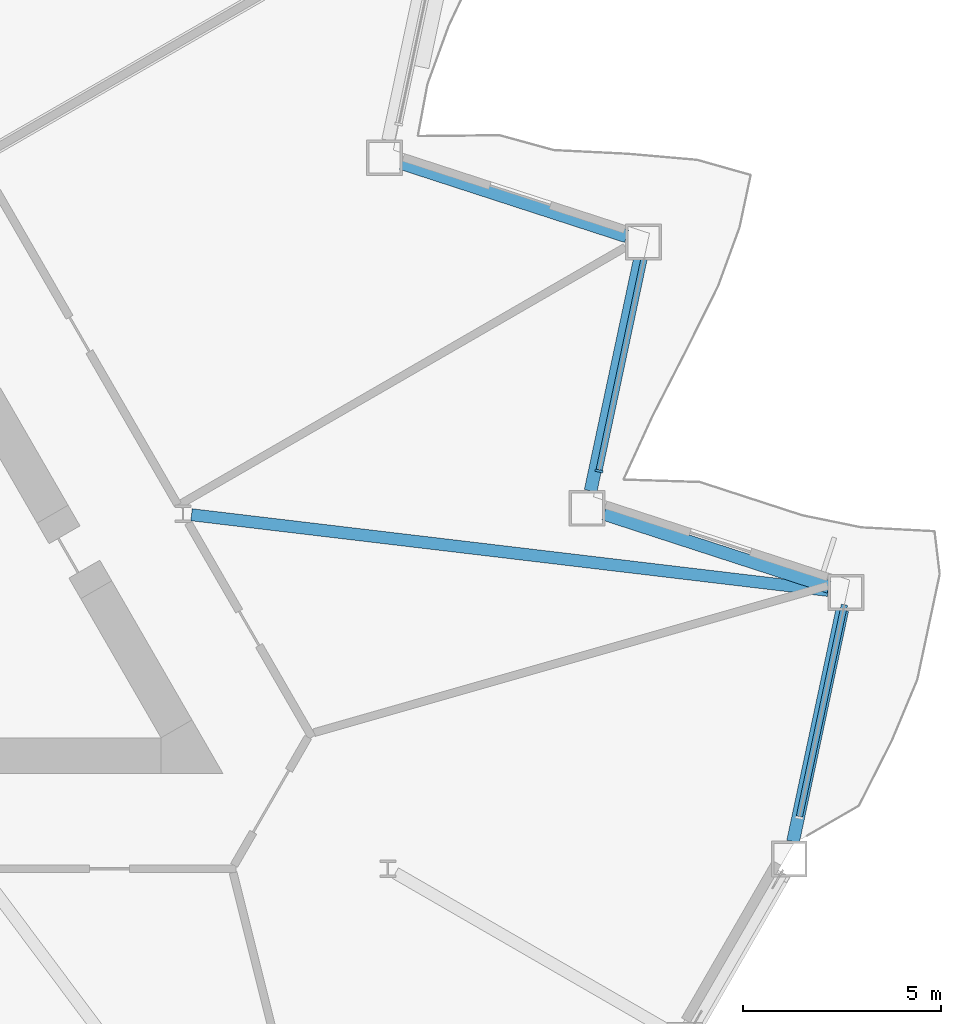
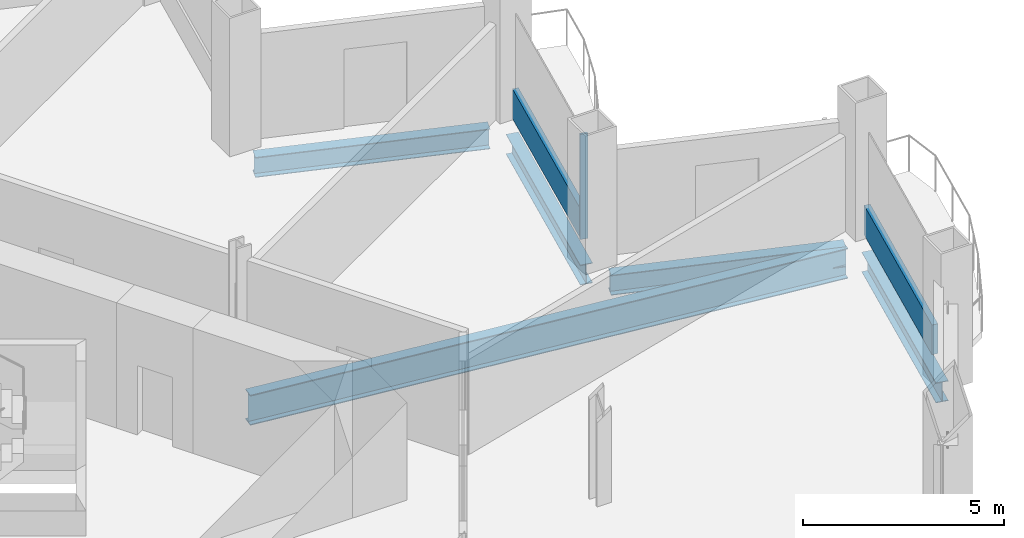
# One storey, part 6 of 21: 5 beams, 3 members, 2 elements without a shape of their own.
"""IFC4 building model written with IfcOpenShell, lengths in metres."""

import ifcopenshell
import ifcopenshell.guid

model = None  # the IFC model being written
_history = None  # IfcOwnerHistory: only IFC2X3 demands one
_inside = {}  # id of a spatial element -> (the spatial element, [elements in it])
_under = {}  # id of a project, library or spatial element -> (it, [spatial elements below it])
_declared = {}  # id of a project -> (the project, [libraries it declares])
_typed = {}  # id of a type object -> (the type object, [elements of that type])
_made_of = {}  # id of a material, layer set ... -> (it, [elements and type objects made of it])


def new_model(schema):
    """Start an empty IFC model of exactly this schema.

    Asked for "IFC4X3", IfcOpenShell would pick the latest addendum, in which some entities
    have other attributes; the version numbers below select the first issue.
    IFC2X3 requires an IfcOwnerHistory on every rooted entity: one is made here for all.
    """
    global model, _history
    if schema == "IFC4X3":
        model = ifcopenshell.file(schema_version=(4, 3, 0, 0))
    else:
        model = ifcopenshell.file(schema=schema)
    _inside.clear()
    _under.clear()
    _declared.clear()
    _typed.clear()
    _made_of.clear()
    _history = None
    if model.schema == "IFC2X3":
        org = make("IfcOrganization", Name="unknown")
        user = make(
            "IfcPersonAndOrganization",
            ThePerson=make("IfcPerson", FamilyName="unknown"),
            TheOrganization=org,
        )
        app = make(
            "IfcApplication",
            ApplicationDeveloper=org,
            Version="unknown",
            ApplicationFullName="unknown",
            ApplicationIdentifier="unknown",
        )
        _history = make(
            "IfcOwnerHistory",
            OwningUser=user,
            OwningApplication=app,
            ChangeAction="ADDED",
            CreationDate=0,
        )
    return model


def make(cls, **values):
    """One entity of the class cls with the attributes given. An attribute that is None is left unset."""
    return model.create_entity(
        cls, **{name: value for name, value in values.items() if value is not None}
    )


def rooted(cls, **values):
    """An entity with a GlobalId (a new one), such as an element, a storey or a relation."""
    return make(cls, GlobalId=ifcopenshell.guid.new(), OwnerHistory=_history, **values)


def si_unit(unit_type, name, prefix=None):
    """IfcSIUnit, for example si_unit("LENGTHUNIT", "METRE", prefix="MILLI")."""
    return make("IfcSIUnit", UnitType=unit_type, Prefix=prefix, Name=name)


def assignment(units):
    """IfcUnitAssignment: the units of a project."""
    return None if units is None else make("IfcUnitAssignment", Units=units)


def point(xyz):
    """IfcCartesianPoint."""
    return None if xyz is None else make("IfcCartesianPoint", Coordinates=xyz)


def direction(xyz):
    """IfcDirection."""
    return None if xyz is None else make("IfcDirection", DirectionRatios=xyz)


def frame(location, z_axis=None, x_axis=None):
    """IfcAxis2Placement3D, a coordinate frame: its origin and axes. An axis left out is left unset."""
    return make(
        "IfcAxis2Placement3D",
        Location=point(location),
        Axis=direction(z_axis),
        RefDirection=direction(x_axis),
    )


def frame_2d(location, x_axis=None):
    """IfcAxis2Placement2D, a coordinate frame in the plane: its origin and x axis."""
    return make(
        "IfcAxis2Placement2D", Location=point(location), RefDirection=direction(x_axis)
    )


def origin():
    """The frame at (0, 0, 0) with its axes left unset."""
    return frame((0.0, 0.0, 0.0))


def origin_2d():
    """The frame at (0, 0) in the plane with its x axis left unset."""
    return frame_2d((0.0, 0.0))


def place(relative_to, where):
    """IfcLocalPlacement: puts the frame where relative to a parent placement (None: the world)."""
    return make(
        "IfcLocalPlacement", PlacementRelTo=relative_to, RelativePlacement=where
    )


def context(
    kind, dimensions, precision=None, world=None, true_north=None, identifier=None
):
    """IfcGeometricRepresentationContext, for example the 3D "Model" context."""
    return make(
        "IfcGeometricRepresentationContext",
        ContextIdentifier=identifier,
        ContextType=kind,
        CoordinateSpaceDimension=dimensions,
        Precision=precision,
        WorldCoordinateSystem=world,
        TrueNorth=true_north,
    )


def subcontext(parent, identifier, kind, view, scale=None):
    """IfcGeometricRepresentationSubContext, for example "Body" below "Model"."""
    return make(
        "IfcGeometricRepresentationSubContext",
        ContextIdentifier=identifier,
        ContextType=kind,
        ParentContext=parent,
        TargetScale=scale,
        TargetView=view,
    )


def project(units=None, contexts=None):
    """IfcProject with its units and contexts."""
    return rooted(
        "IfcProject",
        Name="project",
        RepresentationContexts=contexts,
        UnitsInContext=assignment(units),
    )


def spatial(cls, under=None, at=None, **own):
    """A site, building, storey or space (cls), placed at a placement, below another one or the project."""
    s = rooted(cls, ObjectPlacement=at, **own)
    if under is not None:
        _under.setdefault(under.id(), (under, []))[1].append(s)
    return s


def profile(cls, at=None, kind="AREA", **sizes):
    """A parametric profile (cls). Its sizes go by their IFC names, for example OverallWidth=200.0."""
    return make(cls, ProfileType=kind, Position=at, **sizes)


def rectangle(**sizes):
    """IfcRectangleProfileDef."""
    return profile("IfcRectangleProfileDef", **sizes)


def i_section(**sizes):
    """IfcIShapeProfileDef."""
    return profile("IfcIShapeProfileDef", **sizes)


def extrude(swept, where, along, depth):
    """IfcExtrudedAreaSolid: the profile swept, set in the frame where, extruded along a direction by depth."""
    return make(
        "IfcExtrudedAreaSolid",
        SweptArea=swept,
        Position=where,
        ExtrudedDirection=direction(along),
        Depth=depth,
    )


def shape(context_of_items, identifier, shape_type, items):
    """IfcShapeRepresentation: the items that make up one representation, for example the "Body"."""
    return make(
        "IfcShapeRepresentation",
        ContextOfItems=context_of_items,
        RepresentationIdentifier=identifier,
        RepresentationType=shape_type,
        Items=items,
    )


def material(Name=None, Category=None):
    """IfcMaterial."""
    return make("IfcMaterial", Name=Name, Category=Category)


def layer(
    of_material, thickness, ventilated=None, Name=None, Category=None, Priority=None
):
    """IfcMaterialLayer: one layer of a wall or slab, of a material (None: an air gap)."""
    return make(
        "IfcMaterialLayer",
        Material=of_material,
        LayerThickness=thickness,
        IsVentilated=ventilated,
        Name=Name,
        Category=Category,
        Priority=Priority,
    )


def layer_set(layers, Name=None):
    """IfcMaterialLayerSet."""
    return make("IfcMaterialLayerSet", MaterialLayers=layers, LayerSetName=Name)


def material_profile(
    of_material, cross_section, Name=None, Category=None, Priority=None
):
    """IfcMaterialProfile: a cross section and its material."""
    return make(
        "IfcMaterialProfile",
        Name=Name,
        Material=of_material,
        Profile=cross_section,
        Priority=Priority,
        Category=Category,
    )


def profile_set(profiles, Name=None, composite=None):
    """IfcMaterialProfileSet."""
    return make(
        "IfcMaterialProfileSet",
        Name=Name,
        MaterialProfiles=profiles,
        CompositeProfile=composite,
    )


def made_of(thing, what):
    """Note that an element or type object is made of a material, layer set ...; save() writes the relation."""
    if what is not None:
        _made_of.setdefault(what.id(), (what, []))[1].append(thing)
    return thing


def type_object(cls, material=None, **own):
    """A type object (cls), such as IfcWallType, which elements share."""
    return made_of(rooted(cls, **own), material)


def element(
    cls,
    number,
    at=None,
    inside=None,
    cuts=None,
    type_object=None,
    material=None,
    context=None,
    identifier="Body",
    shape_type=None,
    held_by="IfcProductDefinitionShape",
    body=None,
    shapes=None,
    **own,
):
    """One element of the class cls, such as IfcWall. Its Tag is "e" and its number.

    at: its placement. inside: the storey or other place that contains it. cuts: it is an
    opening in that element (IfcRelVoidsElement). A single representation is given by context,
    identifier, shape_type and body (its items); several are given by shapes. held_by: the class
    of the entity that holds the representations. save() writes the other relations.
    """
    e = rooted(cls, Tag="e%d" % number, ObjectPlacement=at, **own)
    if body is not None:
        shapes = [shape(context, identifier, shape_type, body)]
    if shapes is not None:
        e.Representation = make(held_by, Representations=shapes)
    if inside is not None:
        _inside.setdefault(inside.id(), (inside, []))[1].append(e)
    if cuts is not None:
        rooted(
            "IfcRelVoidsElement", RelatingBuildingElement=cuts, RelatedOpeningElement=e
        )
    if type_object is not None:
        _typed.setdefault(type_object.id(), (type_object, []))[1].append(e)
    return made_of(e, material)


def aggregate(whole, parts):
    """IfcRelAggregates: a whole, such as a stair, and the parts it consists of."""
    return rooted("IfcRelAggregates", RelatingObject=whole, RelatedObjects=parts)


def save(model, path):
    """Write the relations noted so far, then the file.

    IfcRelAggregates (storeys below a building ...), IfcRelContainedInSpatialStructure (elements
    in a storey), IfcRelDefinesByType, IfcRelAssociatesMaterial and IfcRelDeclares: one each for
    every whole, place, type object, material and project.
    """
    for whole, parts in _under.values():
        aggregate(whole, parts)
    for where, things in _inside.values():
        rooted(
            "IfcRelContainedInSpatialStructure",
            RelatedElements=things,
            RelatingStructure=where,
        )
    for kind, things in _typed.values():
        rooted("IfcRelDefinesByType", RelatedObjects=things, RelatingType=kind)
    for what, things in _made_of.values():
        rooted("IfcRelAssociatesMaterial", RelatedObjects=things, RelatingMaterial=what)
    for by, libraries in _declared.values():
        rooted("IfcRelDeclares", RelatingContext=by, RelatedDefinitions=libraries)
    model.write(path)


model = new_model("IFC4")

# Units and contexts
model_context = context("Model", 3, precision=1e-05, world=origin(), true_north=direction((0.0, 1.0)))
body_context = subcontext(model_context, "Body", "Model", "MODEL_VIEW")
ifc_project = project(units=[si_unit("LENGTHUNIT", "METRE"), si_unit("AREAUNIT", "SQUARE_METRE"), si_unit("VOLUMEUNIT", "CUBIC_METRE"), si_unit("PLANEANGLEUNIT", "RADIAN"), si_unit("MASSUNIT", "GRAM", prefix="KILO")], contexts=[model_context])

# Site, building, storey
site_placement = place(None, origin())
site = spatial("IfcSite", under=ifc_project, at=site_placement, CompositionType="ELEMENT")
building_placement = place(site_placement, origin())
building = spatial("IfcBuilding", under=site, at=building_placement, Name="Cormorant Prow Tower", CompositionType="ELEMENT")
storey_placement = place(building_placement, frame((0.0, 0.0, 133.199951171875)))
storey = spatial("IfcBuildingStorey", under=building, at=storey_placement, Name="L28", CompositionType="ELEMENT", Elevation=133.199951171875)

# Curtain wall, member
ifc_material_1 = material(Name="Aluminium 6063-T6", Category="aluminium")
ifc_layer = layer(ifc_material_1, 0.199951171875)
ifc_layer_set = layer_set([ifc_layer], Name="Aluminium 6063-T6")
curtain_wall_type = type_object("IfcCurtainWallType", Name="Office unitised curtain wall 200", PredefinedType="NOTDEFINED", material=ifc_layer_set)
curtain_wall_1_placement = place(storey_placement, origin())
curtain_wall_1 = element("IfcCurtainWall", 1, at=curtain_wall_1_placement, inside=storey, type_object=curtain_wall_type, Name="Office curtain wall ENE02", PredefinedType="NOTDEFINED")
ifc_material_2 = material(Name="Aluminium 6063-T6", Category="aluminium")
ifc_material_profile_1 = material_profile(ifc_material_2, rectangle(XDim=0.199951171875, YDim=0.06005859375, at=origin_2d()), Name="Office mullion 60x200")
ifc_profile_set_1 = profile_set([ifc_material_profile_1], Name="Aluminium 6063-T6")
member_type_1 = type_object("IfcMemberType", Name="Office mullion 60x200", PredefinedType="MULLION", material=ifc_profile_set_1)
member_1_placement = place(storey_placement, frame((25.97314453125, -1.90380859375, 0.0), z_axis=(0.0, 0.0, 1.0), x_axis=(-0.978147605839, 0.207911666798, 0.0)))
member_1 = element("IfcMember", 2, at=member_1_placement, type_object=member_type_1, Name="Office mullion ENE02", PredefinedType="MULLION", context=body_context, shape_type="SweptSolid", body=[
    extrude(rectangle(XDim=0.199951171875, YDim=0.06005859375, at=origin_2d()), origin(), (0.0, 0.0, 1.0), 3.18896484375),
])

curtain_wall_2_placement = place(storey_placement, origin())
curtain_wall_2 = element("IfcCurtainWall", 3, at=curtain_wall_2_placement, inside=storey, type_object=curtain_wall_type, Name="Office curtain wall ENE00", PredefinedType="NOTDEFINED")
ifc_material_3 = material(Name="Terracotta", Category="masonry")
ifc_material_profile_2 = material_profile(ifc_material_3, rectangle(XDim=0.159912109375, YDim=0.89990234375, at=origin_2d()), Name="Office terracotta spandrel rail 160x900")
ifc_profile_set_2 = profile_set([ifc_material_profile_2], Name="Terracotta")
member_type_2 = type_object("IfcMemberType", Name="Office terracotta spandrel rail 160x900", PredefinedType="USERDEFINED", material=ifc_profile_set_2)
member_2_placement = place(storey_placement, frame((31.022705078125, -10.60986328125, 0.449951171875), z_axis=(0.207945473965, 0.978140419294, 0.0), x_axis=(-0.978140419294, 0.207945473965, 0.0)))
member_2 = element("IfcMember", 4, at=member_2_placement, type_object=member_type_2, Name="Office spandrel rail ENE00", ObjectType="TRANSOM", PredefinedType="USERDEFINED", context=body_context, shape_type="SweptSolid", body=[
    extrude(rectangle(XDim=0.159912109375, YDim=0.89990234375, at=origin_2d()), origin(), (0.0, 0.0, 1.0), 5.45458984375),
])
aggregate(curtain_wall_2, [member_2])

# Member
member_3_placement = place(storey_placement, frame((25.9794921875, -1.874267578125, 0.449951171875), z_axis=(0.20791175325, 0.978147587463, 0.0), x_axis=(-0.978147587463, 0.20791175325, 0.0)))
member_3 = element("IfcMember", 5, at=member_3_placement, type_object=member_type_2, Name="Office spandrel rail ENE02", ObjectType="TRANSOM", PredefinedType="USERDEFINED", context=body_context, shape_type="SweptSolid", body=[
    extrude(rectangle(XDim=0.159912109375, YDim=0.89990234375, at=origin_2d()), origin(), (0.0, 0.0, 1.0), 5.454345703125),
])

aggregate(curtain_wall_1, [member_1, member_3])

# Beams
ifc_material_4 = material(Name="Structural steel ASTM A992 Gr 50", Category="steel")
ifc_material_profile_3 = material_profile(ifc_material_4, i_section(OverallWidth=0.3046875, OverallDepth=0.914794921875, WebThickness=0.0166015625, FlangeThickness=0.02587890625, at=origin_2d()), Name="W36x160")
ifc_profile_set_3 = profile_set([ifc_material_profile_3], Name="Structural steel ASTM A992 Gr 50")
beam_type_1 = type_object("IfcBeamType", Name="Radial floor beam W36x160", PredefinedType="BEAM", material=ifc_profile_set_3)
beam_1_placement = place(storey_placement, frame((15.70849609375, -3.00732421875, -0.857421875), z_axis=(0.993009167646, -0.118037252474, 0.0), x_axis=(0.118037252474, 0.993009167646, 0.0)))
element("IfcBeam", 6, at=beam_1_placement, inside=storey, type_object=beam_type_1, Name="Radial floor beam FB1 10 L28", PredefinedType="BEAM", context=body_context, shape_type="SweptSolid", body=[
    extrude(i_section(OverallWidth=0.3046875, OverallDepth=0.914794921875, WebThickness=0.0166015625, FlangeThickness=0.02587890625, at=origin_2d()), origin(), (0.0, 0.0, 1.0), 16.15380859375),
])
ifc_material_5 = material(Name="Structural steel ASTM A992 Gr 50", Category="steel")
ifc_material_profile_4 = material_profile(ifc_material_5, i_section(OverallWidth=0.32373046875, OverallDepth=0.611083984375, WebThickness=0.0126953125, FlangeThickness=0.01904296875, at=origin_2d()), Name="W24x104")
ifc_profile_set_4 = profile_set([ifc_material_profile_4], Name="Structural steel ASTM A992 Gr 50")
beam_type_2 = type_object("IfcBeamType", Name="Spandrel beam W24x104", PredefinedType="SPANDREL", material=ifc_profile_set_4)
beam_2_placement = place(storey_placement, frame((30.86279296875, -11.23974609375, -0.70556640625), z_axis=(0.207912620873, 0.978147403044, 0.0), x_axis=(-0.978147403044, 0.207912620873, 0.0)))
element("IfcBeam", 7, at=beam_2_placement, inside=storey, type_object=beam_type_2, Name="Spandrel beam SB1 ENE00-ENE01 L28", PredefinedType="SPANDREL", context=body_context, shape_type="SweptSolid", body=[
    extrude(i_section(OverallWidth=0.32373046875, OverallDepth=0.611083984375, WebThickness=0.0126953125, FlangeThickness=0.01904296875, at=origin_2d()), origin(), (0.0, 0.0, 1.0), 5.962890625),
])
for number, where, z_axis, x_axis, name in (
    (8, (31.768310546875, -4.828125, -0.70556640625), (-0.951059340519, 0.309008302174, 0.0), (-0.309008302174, -0.951059340519, 0.0), "Spandrel beam SB1 ENE01-ENE02 L28"),
    (9, (25.762939453125, -2.40625, -0.70556640625), (0.207920947907, 0.978145633033, 0.0), (-0.978145633033, 0.207920947907, 0.0), "Spandrel beam SB1 ENE02-ENE03 L28"),
):
    element("IfcBeam", number, at=place(storey_placement, frame(where, z_axis=z_axis, x_axis=x_axis)), inside=storey, type_object=beam_type_2, Name=name, PredefinedType="SPANDREL", context=body_context, shape_type="SweptSolid", body=[
        extrude(i_section(OverallWidth=0.32373046875, OverallDepth=0.611083984375, WebThickness=0.0126953125, FlangeThickness=0.01904296875, at=origin_2d()), origin(), (0.0, 0.0, 1.0), 5.962646484375),
    ])
beam_3_placement = place(storey_placement, frame((26.668212890625, 4.00537109375, -0.70556640625), z_axis=(-0.951055430656, 0.309020335608, 0.0), x_axis=(-0.309020335608, -0.951055430656, 0.0)))
element("IfcBeam", 10, at=beam_3_placement, inside=storey, type_object=beam_type_2, Name="Spandrel beam SB1 ENE03-ENE04 L28", PredefinedType="SPANDREL", context=body_context, shape_type="SweptSolid", body=[
    extrude(i_section(OverallWidth=0.32373046875, OverallDepth=0.611083984375, WebThickness=0.0126953125, FlangeThickness=0.01904296875, at=origin_2d()), origin(), (0.0, 0.0, 1.0), 5.96240234375),
])

save(model, "model.ifc")
